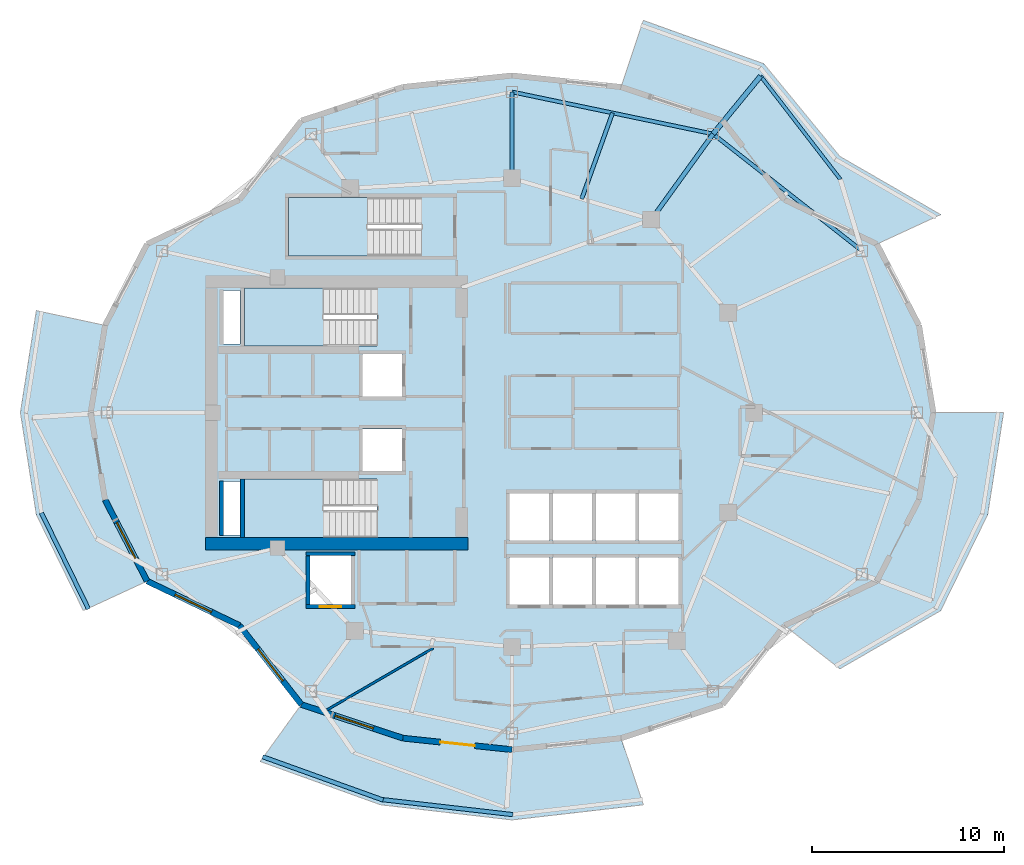
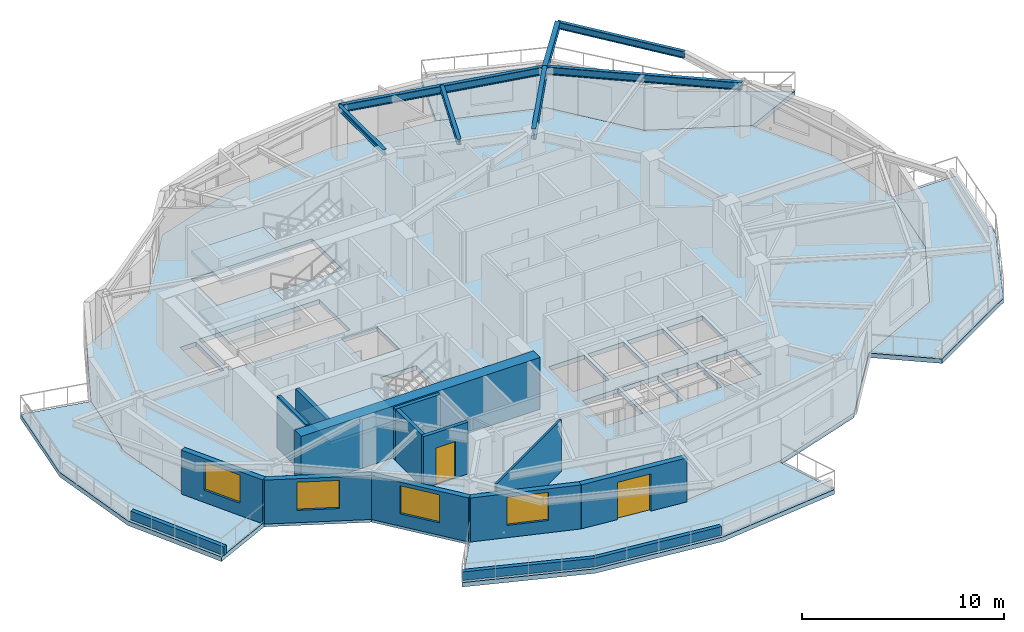
# One storey, part 2 of 11: 15 walls, 8 slabs, 7 beams, 4 windows, 2 doors, 6 openings, 3 elements without a shape of their own.
"""IFC4 building model written with IfcOpenShell, lengths in metres."""

import ifcopenshell
import ifcopenshell.guid

model = None  # the IFC model being written
_history = None  # IfcOwnerHistory: only IFC2X3 demands one
_inside = {}  # id of a spatial element -> (the spatial element, [elements in it])
_under = {}  # id of a project, library or spatial element -> (it, [spatial elements below it])
_declared = {}  # id of a project -> (the project, [libraries it declares])
_typed = {}  # id of a type object -> (the type object, [elements of that type])
_made_of = {}  # id of a material, layer set ... -> (it, [elements and type objects made of it])


def new_model(schema):
    """Start an empty IFC model of exactly this schema.

    Asked for "IFC4X3", IfcOpenShell would pick the latest addendum, in which some entities
    have other attributes; the version numbers below select the first issue.
    IFC2X3 requires an IfcOwnerHistory on every rooted entity: one is made here for all.
    """
    global model, _history
    if schema == "IFC4X3":
        model = ifcopenshell.file(schema_version=(4, 3, 0, 0))
    else:
        model = ifcopenshell.file(schema=schema)
    _inside.clear()
    _under.clear()
    _declared.clear()
    _typed.clear()
    _made_of.clear()
    _history = None
    if model.schema == "IFC2X3":
        org = make("IfcOrganization", Name="unknown")
        user = make(
            "IfcPersonAndOrganization",
            ThePerson=make("IfcPerson", FamilyName="unknown"),
            TheOrganization=org,
        )
        app = make(
            "IfcApplication",
            ApplicationDeveloper=org,
            Version="unknown",
            ApplicationFullName="unknown",
            ApplicationIdentifier="unknown",
        )
        _history = make(
            "IfcOwnerHistory",
            OwningUser=user,
            OwningApplication=app,
            ChangeAction="ADDED",
            CreationDate=0,
        )
    return model


def make(cls, **values):
    """One entity of the class cls with the attributes given. An attribute that is None is left unset."""
    return model.create_entity(
        cls, **{name: value for name, value in values.items() if value is not None}
    )


def rooted(cls, **values):
    """An entity with a GlobalId (a new one), such as an element, a storey or a relation."""
    return make(cls, GlobalId=ifcopenshell.guid.new(), OwnerHistory=_history, **values)


def si_unit(unit_type, name, prefix=None):
    """IfcSIUnit, for example si_unit("LENGTHUNIT", "METRE", prefix="MILLI")."""
    return make("IfcSIUnit", UnitType=unit_type, Prefix=prefix, Name=name)


def assignment(units):
    """IfcUnitAssignment: the units of a project."""
    return None if units is None else make("IfcUnitAssignment", Units=units)


def point(xyz):
    """IfcCartesianPoint."""
    return None if xyz is None else make("IfcCartesianPoint", Coordinates=xyz)


def direction(xyz):
    """IfcDirection."""
    return None if xyz is None else make("IfcDirection", DirectionRatios=xyz)


def frame(location, z_axis=None, x_axis=None):
    """IfcAxis2Placement3D, a coordinate frame: its origin and axes. An axis left out is left unset."""
    return make(
        "IfcAxis2Placement3D",
        Location=point(location),
        Axis=direction(z_axis),
        RefDirection=direction(x_axis),
    )


def frame_2d(location, x_axis=None):
    """IfcAxis2Placement2D, a coordinate frame in the plane: its origin and x axis."""
    return make(
        "IfcAxis2Placement2D", Location=point(location), RefDirection=direction(x_axis)
    )


def origin():
    """The frame at (0, 0, 0) with its axes left unset."""
    return frame((0.0, 0.0, 0.0))


def origin_2d():
    """The frame at (0, 0) in the plane with its x axis left unset."""
    return frame_2d((0.0, 0.0))


def place(relative_to, where):
    """IfcLocalPlacement: puts the frame where relative to a parent placement (None: the world)."""
    return make(
        "IfcLocalPlacement", PlacementRelTo=relative_to, RelativePlacement=where
    )


def context(
    kind, dimensions, precision=None, world=None, true_north=None, identifier=None
):
    """IfcGeometricRepresentationContext, for example the 3D "Model" context."""
    return make(
        "IfcGeometricRepresentationContext",
        ContextIdentifier=identifier,
        ContextType=kind,
        CoordinateSpaceDimension=dimensions,
        Precision=precision,
        WorldCoordinateSystem=world,
        TrueNorth=true_north,
    )


def subcontext(parent, identifier, kind, view, scale=None):
    """IfcGeometricRepresentationSubContext, for example "Body" below "Model"."""
    return make(
        "IfcGeometricRepresentationSubContext",
        ContextIdentifier=identifier,
        ContextType=kind,
        ParentContext=parent,
        TargetScale=scale,
        TargetView=view,
    )


def project(units=None, contexts=None):
    """IfcProject with its units and contexts."""
    return rooted(
        "IfcProject",
        Name="project",
        RepresentationContexts=contexts,
        UnitsInContext=assignment(units),
    )


def spatial(cls, under=None, at=None, **own):
    """A site, building, storey or space (cls), placed at a placement, below another one or the project."""
    s = rooted(cls, ObjectPlacement=at, **own)
    if under is not None:
        _under.setdefault(under.id(), (under, []))[1].append(s)
    return s


def polyline(points):
    """IfcPolyline through the points."""
    return make("IfcPolyline", Points=[point(p) for p in points])


def profile(cls, at=None, kind="AREA", **sizes):
    """A parametric profile (cls). Its sizes go by their IFC names, for example OverallWidth=200.0."""
    return make(cls, ProfileType=kind, Position=at, **sizes)


def rectangle(**sizes):
    """IfcRectangleProfileDef."""
    return profile("IfcRectangleProfileDef", **sizes)


def i_section(**sizes):
    """IfcIShapeProfileDef."""
    return profile("IfcIShapeProfileDef", **sizes)


def outline(outer, holes=None, kind="AREA"):
    """IfcArbitraryClosedProfileDef: a profile drawn as a closed curve; with holes, ...WithVoids."""
    if holes is None:
        return make("IfcArbitraryClosedProfileDef", ProfileType=kind, OuterCurve=outer)
    return make(
        "IfcArbitraryProfileDefWithVoids",
        ProfileType=kind,
        OuterCurve=outer,
        InnerCurves=holes,
    )


def extrude(swept, where, along, depth):
    """IfcExtrudedAreaSolid: the profile swept, set in the frame where, extruded along a direction by depth."""
    return make(
        "IfcExtrudedAreaSolid",
        SweptArea=swept,
        Position=where,
        ExtrudedDirection=direction(along),
        Depth=depth,
    )


def shape(context_of_items, identifier, shape_type, items):
    """IfcShapeRepresentation: the items that make up one representation, for example the "Body"."""
    return make(
        "IfcShapeRepresentation",
        ContextOfItems=context_of_items,
        RepresentationIdentifier=identifier,
        RepresentationType=shape_type,
        Items=items,
    )


def material(Name=None, Category=None):
    """IfcMaterial."""
    return make("IfcMaterial", Name=Name, Category=Category)


def layer(
    of_material, thickness, ventilated=None, Name=None, Category=None, Priority=None
):
    """IfcMaterialLayer: one layer of a wall or slab, of a material (None: an air gap)."""
    return make(
        "IfcMaterialLayer",
        Material=of_material,
        LayerThickness=thickness,
        IsVentilated=ventilated,
        Name=Name,
        Category=Category,
        Priority=Priority,
    )


def layer_set(layers, Name=None):
    """IfcMaterialLayerSet."""
    return make("IfcMaterialLayerSet", MaterialLayers=layers, LayerSetName=Name)


def material_profile(
    of_material, cross_section, Name=None, Category=None, Priority=None
):
    """IfcMaterialProfile: a cross section and its material."""
    return make(
        "IfcMaterialProfile",
        Name=Name,
        Material=of_material,
        Profile=cross_section,
        Priority=Priority,
        Category=Category,
    )


def profile_set(profiles, Name=None, composite=None):
    """IfcMaterialProfileSet."""
    return make(
        "IfcMaterialProfileSet",
        Name=Name,
        MaterialProfiles=profiles,
        CompositeProfile=composite,
    )


def made_of(thing, what):
    """Note that an element or type object is made of a material, layer set ...; save() writes the relation."""
    if what is not None:
        _made_of.setdefault(what.id(), (what, []))[1].append(thing)
    return thing


def type_object(cls, material=None, **own):
    """A type object (cls), such as IfcWallType, which elements share."""
    return made_of(rooted(cls, **own), material)


def element(
    cls,
    number,
    at=None,
    inside=None,
    cuts=None,
    type_object=None,
    material=None,
    context=None,
    identifier="Body",
    shape_type=None,
    held_by="IfcProductDefinitionShape",
    body=None,
    shapes=None,
    **own,
):
    """One element of the class cls, such as IfcWall. Its Tag is "e" and its number.

    at: its placement. inside: the storey or other place that contains it. cuts: it is an
    opening in that element (IfcRelVoidsElement). A single representation is given by context,
    identifier, shape_type and body (its items); several are given by shapes. held_by: the class
    of the entity that holds the representations. save() writes the other relations.
    """
    e = rooted(cls, Tag="e%d" % number, ObjectPlacement=at, **own)
    if body is not None:
        shapes = [shape(context, identifier, shape_type, body)]
    if shapes is not None:
        e.Representation = make(held_by, Representations=shapes)
    if inside is not None:
        _inside.setdefault(inside.id(), (inside, []))[1].append(e)
    if cuts is not None:
        rooted(
            "IfcRelVoidsElement", RelatingBuildingElement=cuts, RelatedOpeningElement=e
        )
    if type_object is not None:
        _typed.setdefault(type_object.id(), (type_object, []))[1].append(e)
    return made_of(e, material)


def fill(opening, filler):
    """IfcRelFillsElement: the door or window that sits in an opening."""
    return rooted(
        "IfcRelFillsElement",
        RelatingOpeningElement=opening,
        RelatedBuildingElement=filler,
    )


def aggregate(whole, parts):
    """IfcRelAggregates: a whole, such as a stair, and the parts it consists of."""
    return rooted("IfcRelAggregates", RelatingObject=whole, RelatedObjects=parts)


def save(model, path):
    """Write the relations noted so far, then the file.

    IfcRelAggregates (storeys below a building ...), IfcRelContainedInSpatialStructure (elements
    in a storey), IfcRelDefinesByType, IfcRelAssociatesMaterial and IfcRelDeclares: one each for
    every whole, place, type object, material and project.
    """
    for whole, parts in _under.values():
        aggregate(whole, parts)
    for where, things in _inside.values():
        rooted(
            "IfcRelContainedInSpatialStructure",
            RelatedElements=things,
            RelatingStructure=where,
        )
    for kind, things in _typed.values():
        rooted("IfcRelDefinesByType", RelatedObjects=things, RelatingType=kind)
    for what, things in _made_of.values():
        rooted("IfcRelAssociatesMaterial", RelatedObjects=things, RelatingMaterial=what)
    for by, libraries in _declared.values():
        rooted("IfcRelDeclares", RelatingContext=by, RelatedDefinitions=libraries)
    model.write(path)


model = new_model("IFC4")

# Units and contexts
model_context = context("Model", 3, precision=1e-05, world=origin(), true_north=direction((0.0, 1.0)))
body_context = subcontext(model_context, "Body", "Model", "MODEL_VIEW")
ifc_project = project(units=[si_unit("LENGTHUNIT", "METRE"), si_unit("AREAUNIT", "SQUARE_METRE"), si_unit("VOLUMEUNIT", "CUBIC_METRE"), si_unit("PLANEANGLEUNIT", "RADIAN"), si_unit("MASSUNIT", "GRAM", prefix="KILO")], contexts=[model_context])

# Site, building, storey
site_placement = place(None, origin())
site = spatial("IfcSite", under=ifc_project, at=site_placement, CompositionType="ELEMENT")
building_placement = place(site_placement, origin())
building = spatial("IfcBuilding", under=site, at=building_placement, Name="Kolvaren Gate Tower and Convention Centre", CompositionType="ELEMENT")
storey_placement = place(building_placement, frame((0.0, 0.0, 159.699951171875)))
storey = spatial("IfcBuildingStorey", under=building, at=storey_placement, Name="L41", CompositionType="ELEMENT", Elevation=159.699951171875)

# Beams
ifc_material_1 = material(Name="Structural steel ASTM A992 Grade 345 MPa", Category="steel")
ifc_material_profile_1 = material_profile(ifc_material_1, i_section(OverallWidth=0.260009765625, OverallDepth=0.419921875, WebThickness=0.013427734375, FlangeThickness=0.0224609375, at=origin_2d()), Name="W410X132")
ifc_profile_set_1 = profile_set([ifc_material_profile_1], Name="Structural steel ASTM A992 Grade 345 MPa")
beam_type_1 = type_object("IfcBeamType", Name="STR-BM-W410X132", PredefinedType="BEAM", material=ifc_profile_set_1)
beam_1_placement = place(storey_placement, frame((40.596435546875, 41.509521484375, 2.920654296875), z_axis=(0.634334838323, 0.773058414927, 0.0), x_axis=(-0.773058414927, 0.634334838323, 0.0)))
element("IfcBeam", 1, at=beam_1_placement, inside=storey, type_object=beam_type_1, Name="Tower L42 Planted Balcony Outrigger Cantilever BC-1B", PredefinedType="BEAM", context=body_context, shape_type="SweptSolid", body=[
    extrude(i_section(OverallWidth=0.260009765625, OverallDepth=0.419921875, WebThickness=0.013427734375, FlangeThickness=0.0224609375, at=origin_2d()), origin(), (0.0, 0.0, 1.0), 3.89990234375),
])
ifc_material_profile_2 = material_profile(ifc_material_1, i_section(OverallWidth=0.22998046875, OverallDepth=0.616943359375, WebThickness=0.01318359375, FlangeThickness=0.022216796875, at=origin_2d()), Name="W610X140")
ifc_profile_set_2 = profile_set([ifc_material_profile_2], Name="Structural steel ASTM A992 Grade 345 MPa")
beam_type_2 = type_object("IfcBeamType", Name="STR-BM-W610X140", PredefinedType="BEAM", material=ifc_profile_set_2)
beam_2_placement = place(storey_placement, frame((37.381591796875, 37.054931640625, 2.821533203125), z_axis=(0.58520818289, 0.810883088169, 0.0), x_axis=(-0.810883088169, 0.58520818289, 0.0)))
element("IfcBeam", 2, at=beam_2_placement, inside=storey, type_object=beam_type_2, Name="Tower L41 Radial Floor Girder RB-03", PredefinedType="BEAM", context=body_context, shape_type="SweptSolid", body=[
    extrude(i_section(OverallWidth=0.22998046875, OverallDepth=0.616943359375, WebThickness=0.01318359375, FlangeThickness=0.022216796875, at=origin_2d()), origin(), (0.0, 0.0, 1.0), 5.493408203125),
])
ifc_material_profile_3 = material_profile(ifc_material_1, i_section(OverallWidth=0.205078125, OverallDepth=0.31005859375, WebThickness=0.009521484375, FlangeThickness=0.016357421875, at=origin_2d()), Name="W310X74")
ifc_profile_set_3 = profile_set([ifc_material_profile_3], Name="Structural steel ASTM A992 Grade 345 MPa")
beam_type_3 = type_object("IfcBeamType", Name="STR-JS-W310X74", PredefinedType="JOIST", material=ifc_profile_set_3)
beam_3_placement = place(storey_placement, frame((30.125, 39.199951171875, 2.97509765625), z_axis=(0.0, 1.0, 0.0), x_axis=(-1.0, 0.0, 0.0)))
element("IfcBeam", 3, at=beam_3_placement, inside=storey, type_object=beam_type_3, Name="Tower L41 Radial Floor Girder RB-04", PredefinedType="JOIST", context=body_context, shape_type="SweptSolid", body=[
    extrude(i_section(OverallWidth=0.205078125, OverallDepth=0.31005859375, WebThickness=0.009521484375, FlangeThickness=0.016357421875, at=origin_2d()), origin(), (0.0, 0.0, 1.0), 4.5),
])
beam_4_placement = place(storey_placement, frame((33.75341796875, 38.12744140625, 2.97509765625), z_axis=(0.33785426197, 0.941198436924, 0.0), x_axis=(-0.941198436924, 0.33785426197, 0.0)))
element("IfcBeam", 4, at=beam_4_placement, inside=storey, type_object=beam_type_3, Name="Tower L41 Secondary Composite Floor Joist J-03.1", PredefinedType="JOIST", context=body_context, shape_type="SweptSolid", body=[
    extrude(i_section(OverallWidth=0.205078125, OverallDepth=0.31005859375, WebThickness=0.009521484375, FlangeThickness=0.016357421875, at=origin_2d()), origin(), (0.0, 0.0, 1.0), 4.757080078125),
])
ifc_material_profile_4 = material_profile(ifc_material_1, i_section(OverallWidth=0.180908203125, OverallDepth=0.4169921875, WebThickness=0.010986328125, FlangeThickness=0.018310546875, at=origin_2d()), Name="W410X85")
ifc_profile_set_4 = profile_set([ifc_material_profile_4], Name="Structural steel ASTM A992 Grade 345 MPa")
beam_type_4 = type_object("IfcBeamType", Name="STR-SP-W410X85", PredefinedType="SPANDREL", material=ifc_profile_set_4)
beam_5_placement = place(storey_placement, frame((47.22021484375, 39.15087890625, 2.922119140625), z_axis=(-0.611228468279, 0.791454205602, 0.0), x_axis=(-0.791454205602, -0.611228468279, 0.0)))
element("IfcBeam", 5, at=beam_5_placement, inside=storey, type_object=beam_type_4, Name="Tower L42 Planted Balcony Header Tie Beam BT-1", PredefinedType="SPANDREL", context=body_context, shape_type="SweptSolid", body=[
    extrude(i_section(OverallWidth=0.180908203125, OverallDepth=0.4169921875, WebThickness=0.010986328125, FlangeThickness=0.018310546875, at=origin_2d()), origin(), (0.0, 0.0, 1.0), 6.78955078125),
])
ifc_material_profile_5 = material_profile(ifc_material_1, i_section(OverallWidth=0.194091796875, OverallDepth=0.468994140625, WebThickness=0.0126953125, FlangeThickness=0.0205078125, at=origin_2d()), Name="W460X106")
ifc_profile_set_5 = profile_set([ifc_material_profile_5], Name="Structural steel ASTM A992 Grade 345 MPa")
beam_type_5 = type_object("IfcBeamType", Name="STR-SP-W460X106", PredefinedType="SPANDREL", material=ifc_profile_set_5)
beam_6_placement = place(storey_placement, frame((48.351806640625, 35.418701171875, 2.8955078125), z_axis=(-0.786450621777, 0.617653154697, 0.0), x_axis=(-0.617653154697, -0.786450621777, 0.0)))
element("IfcBeam", 6, at=beam_6_placement, inside=storey, type_object=beam_type_5, Name="Tower L41 Perimeter Spandrel Beam SP-02", PredefinedType="SPANDREL", context=body_context, shape_type="SweptSolid", body=[
    extrude(i_section(OverallWidth=0.194091796875, OverallDepth=0.468994140625, WebThickness=0.0126953125, FlangeThickness=0.0205078125, at=origin_2d()), origin(), (0.0, 0.0, 1.0), 9.861328125),
])
beam_7_placement = place(storey_placement, frame((40.596435546875, 41.509521484375, 2.8955078125), z_axis=(-0.978814350133, 0.204749769168, 0.0), x_axis=(-0.204749769168, -0.978814350133, 0.0)))
element("IfcBeam", 7, at=beam_7_placement, inside=storey, type_object=beam_type_5, Name="Tower L41 Perimeter Spandrel Beam SP-03", PredefinedType="SPANDREL", context=body_context, shape_type="SweptSolid", body=[
    extrude(i_section(OverallWidth=0.194091796875, OverallDepth=0.468994140625, WebThickness=0.0126953125, FlangeThickness=0.0205078125, at=origin_2d()), origin(), (0.0, 0.0, 1.0), 10.697998046875),
])

# Slabs
ifc_material_2 = material(Name="Concrete C50/60", Category="concrete")
ifc_layer_1 = layer(ifc_material_2, 0.27001953125)
ifc_layer_set_1 = layer_set([ifc_layer_1], Name="Concrete C50/60")
slab_type_1 = type_object("IfcSlabType", Name="STR-SL-BALC-270", PredefinedType="FLOOR", material=ifc_layer_set_1)
slab_1_placement = place(storey_placement, frame((0.0, 0.0, -0.27001953125)))
element("IfcSlab", 8, at=slab_1_placement, inside=storey, type_object=slab_type_1, Name="Tower L41 Planted Balcony Terrace Slab 1 (North)", PredefinedType="FLOOR", context=body_context, shape_type="SweptSolid", body=[
    extrude(outline(polyline([(49.123291015625, 35.77490234375), (44.3134765625, 38.0859375), (41.09375, 42.19873046875), (35.802734375, 43.951904296875), (36.965087890625, 47.422607421875), (43.235595703125, 45.16650390625), (47.197509765625, 40.33935546875), (52.446044921875, 37.309814453125), (49.123291015625, 35.77490234375)])), origin(), (0.0, 0.0, 1.0), 0.27001953125),
])
slab_2_placement = place(storey_placement, frame((0.0, 0.0, -0.27001953125)))
element("IfcSlab", 9, at=slab_2_placement, inside=storey, type_object=slab_type_1, Name="Tower L41 Planted Balcony Terrace Slab 2 (West)", PredefinedType="FLOOR", context=body_context, shape_type="SweptSolid", body=[
    extrude(outline(polyline([(8.93505859375, 31.542236328125), (8.1875, 27.0), (8.93505859375, 22.457763671875), (11.126708984375, 18.22509765625), (7.803955078125, 16.690185546875), (5.356201171875, 21.690673828125), (4.527587890625, 27.0), (5.356201171875, 32.309326171875), (8.93505859375, 31.542236328125)])), origin(), (0.0, 0.0, 1.0), 0.27001953125),
])
slab_3_placement = place(storey_placement, frame((0.0, 0.0, -0.27001953125)))
element("IfcSlab", 10, at=slab_3_placement, inside=storey, type_object=slab_type_1, Name="Tower L41 Planted Balcony Terrace Slab 3 (South)", PredefinedType="FLOOR", context=body_context, shape_type="SweptSolid", body=[
    extrude(outline(polyline([(19.15625, 11.80126953125), (24.447265625, 10.048095703125), (30.125, 9.449951171875), (35.802734375, 10.048095703125), (36.965087890625, 6.577392578125), (30.125, 5.7900390625), (23.284912109375, 6.577392578125), (17.014404296875, 8.83349609375), (19.15625, 11.80126953125)])), origin(), (0.0, 0.0, 1.0), 0.27001953125),
])
slab_4_placement = place(storey_placement, frame((0.0, 0.0, -0.27001953125)))
element("IfcSlab", 11, at=slab_4_placement, inside=storey, type_object=slab_type_1, Name="Tower L41 Planted Balcony Terrace Slab 4 (East)", PredefinedType="FLOOR", context=body_context, shape_type="SweptSolid", body=[
    extrude(outline(polyline([(44.3134765625, 15.9140625), (49.123291015625, 18.22509765625), (51.31494140625, 22.457763671875), (52.0625, 27.0), (55.722412109375, 27.0), (54.893798828125, 21.690673828125), (52.446044921875, 16.690185546875), (47.197509765625, 13.66064453125), (44.3134765625, 15.9140625)])), origin(), (0.0, 0.0, 1.0), 0.27001953125),
])
ifc_material_3 = material(Name="Concrete C40/50", Category="concrete")
ifc_layer_2 = layer(ifc_material_3, 0.27001953125)
ifc_layer_set_2 = layer_set([ifc_layer_2], Name="Concrete C40/50")
slab_type_2 = type_object("IfcSlabType", Name="STR-SL-FLR-270", PredefinedType="FLOOR", material=ifc_layer_set_2)
slab_5_placement = place(storey_placement, frame((0.0, 0.0, -0.27001953125)))
element("IfcSlab", 12, at=slab_5_placement, inside=storey, type_object=slab_type_2, Name="Tower L41 Structural Floor Slab", PredefinedType="FLOOR", context=body_context, shape_type="SweptSolid", body=[
    extrude(outline(polyline([(52.0625, 27.0), (51.31494140625, 31.542236328125), (49.123291015625, 35.77490234375), (44.3134765625, 38.0859375), (41.09375, 42.19873046875), (35.802734375, 43.951904296875), (30.125, 44.550048828125), (24.447265625, 43.951904296875), (19.15625, 42.19873046875), (15.9365234375, 38.0859375), (11.126708984375, 35.77490234375), (8.93505859375, 31.542236328125), (8.1875, 27.0), (8.93505859375, 22.457763671875), (11.126708984375, 18.22509765625), (15.9365234375, 15.9140625), (19.15625, 11.80126953125), (24.447265625, 10.048095703125), (30.125, 9.449951171875), (35.802734375, 10.048095703125), (41.09375, 11.80126953125), (44.3134765625, 15.9140625), (49.123291015625, 18.22509765625), (51.31494140625, 22.457763671875), (52.0625, 27.0)]), holes=[polyline([(36.75, 17.0), (36.75, 19.449951171875), (38.800048828125, 19.449951171875), (38.800048828125, 17.0), (36.75, 17.0)]), polyline([(36.75, 20.35009765625), (36.75, 22.800048828125), (38.800048828125, 22.800048828125), (38.800048828125, 20.35009765625), (36.75, 20.35009765625)]), polyline([(34.5, 17.0), (34.5, 19.449951171875), (36.550048828125, 19.449951171875), (36.550048828125, 17.0), (34.5, 17.0)]), polyline([(34.5, 20.35009765625), (34.5, 22.800048828125), (36.550048828125, 22.800048828125), (36.550048828125, 20.35009765625), (34.5, 20.35009765625)]), polyline([(32.25, 17.0), (32.25, 19.449951171875), (34.300048828125, 19.449951171875), (34.300048828125, 17.0), (32.25, 17.0)]), polyline([(32.25, 20.35009765625), (32.25, 22.800048828125), (34.300048828125, 22.800048828125), (34.300048828125, 20.35009765625), (32.25, 20.35009765625)]), polyline([(30.0, 17.0), (30.0, 19.449951171875), (32.050048828125, 19.449951171875), (32.050048828125, 17.0), (30.0, 17.0)]), polyline([(30.0, 20.35009765625), (30.0, 22.800048828125), (32.050048828125, 22.800048828125), (32.050048828125, 20.35009765625), (30.0, 20.35009765625)]), polyline([(25.39990234375, 38.199951171875), (25.39990234375, 35.159912109375), (18.5, 35.159912109375), (18.5, 38.199951171875), (25.39990234375, 38.199951171875)]), polyline([(22.35009765625, 23.9599609375), (22.35009765625, 26.159912109375), (24.39990234375, 26.159912109375), (24.39990234375, 23.9599609375), (22.35009765625, 23.9599609375)]), polyline([(22.35009765625, 27.840087890625), (22.35009765625, 30.0400390625), (24.39990234375, 30.0400390625), (24.39990234375, 27.840087890625), (22.35009765625, 27.840087890625)]), polyline([(23.10009765625, 23.5400390625), (23.10009765625, 20.5), (16.199951171875, 20.5), (16.199951171875, 23.5400390625), (23.10009765625, 23.5400390625)]), polyline([(23.10009765625, 33.5), (23.10009765625, 30.4599609375), (16.199951171875, 30.4599609375), (16.199951171875, 33.5), (23.10009765625, 33.5)]), polyline([(19.60009765625, 17.0), (19.60009765625, 19.550048828125), (21.75, 19.550048828125), (21.75, 17.0), (19.60009765625, 17.0)]), polyline([(15.080078125, 20.6298828125), (15.080078125, 23.419921875), (15.969970703125, 23.419921875), (15.969970703125, 20.6298828125), (15.080078125, 20.6298828125)]), polyline([(15.080078125, 30.580078125), (15.080078125, 33.3701171875), (15.969970703125, 33.3701171875), (15.969970703125, 30.580078125), (15.080078125, 30.580078125)])]), origin(), (0.0, 0.0, 1.0), 0.27001953125),
])

# Stair, slab
stair_type = type_object("IfcStairType", Name="STR-STAIR-CORE", PredefinedType="HALF_TURN_STAIR", material=ifc_material_2)
stair_1_placement = place(storey_placement, origin())
stair_1 = element("IfcStair", 13, at=stair_1_placement, inside=storey, type_object=stair_type, Name="L41 Tower North Exit Stair ST-T1", PredefinedType="HALF_TURN_STAIR")
ifc_layer_3 = layer(ifc_material_2, 0.199951171875)
ifc_layer_set_3 = layer_set([ifc_layer_3], Name="Concrete C50/60")
slab_type_3 = type_object("IfcSlabType", Name="STR-SL-LAND-200", PredefinedType="LANDING", material=ifc_layer_set_3)
slab_6_placement = place(storey_placement, frame((0.0, 0.0, 1.5)))
slab_6 = element("IfcSlab", 14, at=slab_6_placement, type_object=slab_type_3, Name="ST-T1 landing 1", PredefinedType="LANDING", context=body_context, shape_type="SweptSolid", body=[
    extrude(outline(polyline([(20.31005859375, 33.5), (16.199951171875, 33.5), (16.199951171875, 30.4599609375), (20.31005859375, 30.4599609375), (20.31005859375, 33.5)])), origin(), (0.0, 0.0, 1.0), 0.199951171875),
])
aggregate(stair_1, [slab_6])

stair_2_placement = place(storey_placement, origin())
stair_2 = element("IfcStair", 15, at=stair_2_placement, inside=storey, type_object=stair_type, Name="L41 Tower South Exit Stair ST-T2", PredefinedType="HALF_TURN_STAIR")
slab_7_placement = place(storey_placement, frame((0.0, 0.0, 1.5)))
slab_7 = element("IfcSlab", 16, at=slab_7_placement, type_object=slab_type_3, Name="ST-T2 landing 1", PredefinedType="LANDING", context=body_context, shape_type="SweptSolid", body=[
    extrude(outline(polyline([(20.31005859375, 23.5400390625), (16.199951171875, 23.5400390625), (16.199951171875, 20.5), (20.31005859375, 20.5), (20.31005859375, 23.5400390625)])), origin(), (0.0, 0.0, 1.0), 0.199951171875),
])
aggregate(stair_2, [slab_7])

stair_3_placement = place(storey_placement, origin())
stair_3 = element("IfcStair", 17, at=stair_3_placement, inside=storey, type_object=stair_type, Name="L41 Tower Mid-Zone Exit Stair ST-T3", PredefinedType="HALF_TURN_STAIR")
slab_8_placement = place(storey_placement, frame((0.0, 0.0, 1.5)))
slab_8 = element("IfcSlab", 18, at=slab_8_placement, type_object=slab_type_3, Name="ST-T3 landing 1", PredefinedType="LANDING", context=body_context, shape_type="SweptSolid", body=[
    extrude(outline(polyline([(22.610107421875, 38.199951171875), (18.5, 38.199951171875), (18.5, 35.159912109375), (22.610107421875, 35.159912109375), (22.610107421875, 38.199951171875)])), origin(), (0.0, 0.0, 1.0), 0.199951171875),
])
aggregate(stair_3, [slab_8])

# Walls
ifc_material_4 = material(Name="Fire-Rated Acoustic Gypsum Stud Partition", Category="gypsum")
ifc_layer_4 = layer(ifc_material_4, 0.1201171875)
ifc_layer_set_4 = layer_set([ifc_layer_4], Name="Fire-Rated Acoustic Gypsum Stud Partition")
wall_type_1 = type_object("IfcWallType", Name="ARCH-WL-PART-120", PredefinedType="PARTITIONING", material=ifc_layer_set_4)
wall_1_placement = place(storey_placement, frame((20.490966796875, 11.51904296875, 0.0), z_axis=(0.0, 0.0, 1.0), x_axis=(0.864495629624, 0.502640334991, 0.0)))
element("IfcWall", 19, at=wall_1_placement, inside=storey, type_object=wall_type_1, Name="Interior Partition WL-L41-INT-057", PredefinedType="PARTITIONING", context=body_context, shape_type="SweptSolid", body=[
    extrude(rectangle(XDim=6.404052734375, YDim=0.1201171875, at=frame_2d((3.2021484375, 0.0))), origin(), (0.0, 0.0, 1.0), 3.130126953125),
])
ifc_material_5 = material(Name="Piedmont Cream Honed Limestone Cladding", Category="masonry")
ifc_layer_5 = layer(ifc_material_5, 0.219970703125)
ifc_layer_set_5 = layer_set([ifc_layer_5], Name="Piedmont Cream Honed Limestone Cladding")
wall_type_2 = type_object("IfcWallType", Name="ARCH-WL-PLANTER-220", PredefinedType="PARAPET", material=ifc_layer_set_5)
wall_2_placement = place(storey_placement, frame((5.6220703125, 21.77880859375, 0.0), z_axis=(0.0, 0.0, 1.0), x_axis=(0.439637174641, -0.898175458735, 0.0)))
element("IfcWall", 20, at=wall_2_placement, inside=storey, type_object=wall_type_2, Name="Vertical-Forest Balcony Stone Planter Kerb PK-L41-2.3", PredefinedType="PARAPET", context=body_context, shape_type="SweptSolid", body=[
    extrude(rectangle(XDim=5.567138671875, YDim=0.219970703125, at=frame_2d((2.78369140625, 0.0))), origin(), (0.0, 0.0, 1.0), 0.52001953125),
])
wall_3_placement = place(storey_placement, frame((17.142822265625, 9.082275390625, 0.0), z_axis=(0.0, 0.0, 1.0), x_axis=(0.940948576924, -0.338549517184, 0.0)))
element("IfcWall", 21, at=wall_3_placement, inside=storey, type_object=wall_type_2, Name="Vertical-Forest Balcony Stone Planter Kerb PK-L41-3.1", PredefinedType="PARAPET", context=body_context, shape_type="SweptSolid", body=[
    extrude(rectangle(XDim=6.6640625, YDim=0.219970703125, at=frame_2d((3.33203125, 0.0))), origin(), (0.0, 0.0, 1.0), 0.52001953125),
])
wall_4_placement = place(storey_placement, frame((23.330078125, 6.853759765625, 0.0), z_axis=(0.0, 0.0, 1.0), x_axis=(0.993440576506, -0.114349555972, 0.0)))
element("IfcWall", 22, at=wall_4_placement, inside=storey, type_object=wall_type_2, Name="Vertical-Forest Balcony Stone Planter Kerb PK-L41-3.2", PredefinedType="PARAPET", context=body_context, shape_type="SweptSolid", body=[
    extrude(rectangle(XDim=6.885498046875, YDim=0.219970703125, at=frame_2d((3.44287109375, 0.0))), origin(), (0.0, 0.0, 1.0), 0.52001953125),
])
ifc_material_6 = material(Name="Autoclaved Aerated Masonry Blockwork Class 4 (4.0 MPa)", Category="masonry")
ifc_layer_6 = layer(ifc_material_6, 0.199951171875)
ifc_layer_set_6 = layer_set([ifc_layer_6], Name="Autoclaved Aerated Masonry Blockwork Class 4 (4.0 MPa)")
wall_type_3 = type_object("IfcWallType", Name="ARCH-WL-SHAFT-200", PredefinedType="SOLIDWALL", material=ifc_layer_set_6)
wall_5_placement = place(storey_placement, frame((19.39990234375, 19.64990234375, 0.0), z_axis=(0.0, 0.0, 1.0), x_axis=(1.0, 0.0, 0.0)))
element("IfcWall", 23, at=wall_5_placement, inside=storey, type_object=wall_type_3, Name="Elevator SV-01 L41 Fire Shaft Wall N", PredefinedType="SOLIDWALL", context=body_context, shape_type="SweptSolid", body=[
    extrude(rectangle(XDim=2.550048828125, YDim=0.199951171875, at=frame_2d((1.27490234375, 0.0))), origin(), (0.0, 0.0, 1.0), 3.130126953125),
])

# Wall, opening, door
wall_6_placement = place(storey_placement, frame((19.39990234375, 16.89990234375, 0.0), z_axis=(0.0, 0.0, 1.0), x_axis=(1.0, 0.0, 0.0)))
wall_6 = element("IfcWall", 24, at=wall_6_placement, inside=storey, type_object=wall_type_3, Name="Elevator SV-01 L41 Fire Shaft Wall S", PredefinedType="SOLIDWALL", context=body_context, shape_type="SweptSolid", body=[
    extrude(rectangle(XDim=2.550048828125, YDim=0.199951171875, at=frame_2d((1.27490234375, 0.0))), origin(), (0.0, 0.0, 1.0), 3.130126953125),
])
opening_1_placement = place(wall_6_placement, frame((0.72509765625, 0.0, 0.0)))
opening_1 = element("IfcOpeningElement", 25, at=opening_1_placement, cuts=wall_6, Name="Opening LD", PredefinedType="OPENING", context=body_context, shape_type="SweptSolid", body=[
    extrude(rectangle(XDim=1.10009765625, YDim=2.199951171875, at=frame_2d((0.550048828125, 1.10009765625))), frame((0.0, 0.10986328125, 0.0), z_axis=(0.0, -1.0, 0.0), x_axis=(1.0, 0.0, 0.0)), (0.0, 0.0, 1.0), 0.219970703125),
])
ifc_material_7 = material(Name="Brushed Stainless Steel Grade 316L", Category="steel")
door_type_1 = type_object("IfcDoorType", Name="ARCH-DR-LIFT-1100", OperationType="SLIDING_TO_LEFT", PredefinedType="DOOR", material=ifc_material_7)
door_1_placement = place(opening_1_placement, origin())
door_1 = element("IfcDoor", 26, at=door_1_placement, inside=storey, type_object=door_type_1, Name="Elevator SV-01 L41 Sliding Landing Door", OperationType="SLIDING_TO_LEFT", OverallHeight=2.199951171875, OverallWidth=1.10009765625, PredefinedType="DOOR", context=body_context, shape_type="SweptSolid", body=[
    extrude(rectangle(XDim=1.10009765625, YDim=2.199951171875, at=frame_2d((0.550048828125, 1.10009765625))), frame((0.0, 0.02490234375, 0.0), z_axis=(0.0, -1.0, 0.0), x_axis=(1.0, 0.0, 0.0)), (0.0, 0.0, 1.0), 0.050048828125),
])
fill(opening_1, door_1)

# Walls
wall_7_placement = place(storey_placement, frame((19.5, 17.010009765625, 0.0), z_axis=(0.0, 0.0, 1.0), x_axis=(0.0, 1.0, 0.0)))
element("IfcWall", 27, at=wall_7_placement, inside=storey, type_object=wall_type_3, Name="Elevator SV-01 L41 Fire Shaft Wall W", PredefinedType="SOLIDWALL", context=body_context, shape_type="SweptSolid", body=[
    extrude(rectangle(XDim=2.530029296875, YDim=0.199951171875, at=frame_2d((1.26513671875, 0.0))), origin(), (0.0, 0.0, 1.0), 3.130126953125),
])
wall_8_placement = place(storey_placement, frame((14.989990234375, 20.60009765625, 0.0), z_axis=(0.0, 0.0, 1.0), x_axis=(0.0, 1.0, 0.0)))
element("IfcWall", 28, at=wall_8_placement, inside=storey, type_object=wall_type_3, Name="Vertical Shaft MPR L41 EI-120 Enclosure Wall W", PredefinedType="SOLIDWALL", context=body_context, shape_type="SweptSolid", body=[
    extrude(rectangle(XDim=2.849853515625, YDim=0.199951171875, at=frame_2d((1.4248046875, 0.0))), origin(), (0.0, 0.0, 1.0), 3.130126953125),
])

# Wall, opening, window
ifc_layer_7 = layer(ifc_material_5, 0.300048828125)
ifc_layer_set_7 = layer_set([ifc_layer_7], Name="Piedmont Cream Honed Limestone Cladding")
wall_type_4 = type_object("IfcWallType", Name="ARCH-WL-STONE-300", PredefinedType="SOLIDWALL", material=ifc_layer_set_7)
wall_9_placement = place(storey_placement, frame((8.93505859375, 22.457763671875, 0.0), z_axis=(0.0, 0.0, 1.0), x_axis=(0.459810251451, -0.888017191647, 0.0)))
wall_9 = element("IfcWall", 29, at=wall_9_placement, inside=storey, type_object=wall_type_4, Name="Tower L41 Honed Stone Spandrel Wall EW-13", PredefinedType="SOLIDWALL", context=body_context, shape_type="SweptSolid", body=[
    extrude(rectangle(XDim=4.766357421875, YDim=0.300048828125, at=frame_2d((2.38330078125, 0.0))), origin(), (0.0, 0.0, 1.0), 2.653076171875),
])
opening_2_placement = place(wall_9_placement, frame((1.3330078125, 0.0, 0.739990234375)))
opening_2 = element("IfcOpeningElement", 30, at=opening_2_placement, cuts=wall_9, Name="Opening W-02", PredefinedType="OPENING", context=body_context, shape_type="SweptSolid", body=[
    extrude(rectangle(XDim=2.10009765625, YDim=1.699951171875, at=frame_2d((1.050048828125, 0.85009765625))), frame((0.0, 0.159912109375, 0.0), z_axis=(0.0, -1.0, 0.0), x_axis=(1.0, 0.0, 0.0)), (0.0, 0.0, 1.0), 0.320068359375),
])
ifc_material_8 = material(Name="Low-E Triple Insulated Glazing Unit 44 mm", Category="glass")
window_type = type_object("IfcWindowType", Name="ARCH-WN-HTL-2100", PartitioningType="SINGLE_PANEL", PredefinedType="WINDOW", material=ifc_material_8)
window_1_placement = place(opening_2_placement, origin())
window_1 = element("IfcWindow", 31, at=window_1_placement, inside=storey, type_object=window_type, Name="Tower L41 Punched Stone Facade Window W-13", OverallHeight=1.699951171875, OverallWidth=2.10009765625, PartitioningType="SINGLE_PANEL", PredefinedType="WINDOW", context=body_context, shape_type="SweptSolid", body=[
    extrude(rectangle(XDim=2.10009765625, YDim=1.699951171875, at=frame_2d((1.050048828125, 0.85009765625))), frame((0.0, 0.030029296875, 0.0), z_axis=(0.0, -1.0, 0.0), x_axis=(1.0, 0.0, 0.0)), (0.0, 0.0, 1.0), 0.06005859375),
])
fill(opening_2, window_1)

wall_10_placement = place(storey_placement, frame((11.126708984375, 18.22509765625, 0.0), z_axis=(0.0, 0.0, 1.0), x_axis=(0.901353070301, -0.433085029363, 0.0)))
wall_10 = element("IfcWall", 32, at=wall_10_placement, inside=storey, type_object=wall_type_4, Name="Tower L41 Honed Stone Spandrel Wall EW-14", PredefinedType="SOLIDWALL", context=body_context, shape_type="SweptSolid", body=[
    extrude(rectangle(XDim=5.336181640625, YDim=0.300048828125, at=frame_2d((2.66796875, 0.0))), origin(), (0.0, 0.0, 1.0), 2.653076171875),
])
opening_3_placement = place(wall_10_placement, frame((1.617919921875, 0.0, 0.739990234375)))
opening_3 = element("IfcOpeningElement", 33, at=opening_3_placement, cuts=wall_10, Name="Opening W-02", PredefinedType="OPENING", context=body_context, shape_type="SweptSolid", body=[
    extrude(rectangle(XDim=2.10009765625, YDim=1.699951171875, at=frame_2d((1.050048828125, 0.85009765625))), frame((0.0, 0.159912109375, 0.0), z_axis=(0.0, -1.0, 0.0), x_axis=(1.0, 0.0, 0.0)), (0.0, 0.0, 1.0), 0.320068359375),
])
window_2_placement = place(opening_3_placement, origin())
window_2 = element("IfcWindow", 34, at=window_2_placement, inside=storey, type_object=window_type, Name="Tower L41 Punched Stone Facade Window W-14", OverallHeight=1.699951171875, OverallWidth=2.10009765625, PartitioningType="SINGLE_PANEL", PredefinedType="WINDOW", context=body_context, shape_type="SweptSolid", body=[
    extrude(rectangle(XDim=2.10009765625, YDim=1.699951171875, at=frame_2d((1.050048828125, 0.85009765625))), frame((0.0, 0.030029296875, 0.0), z_axis=(0.0, -1.0, 0.0), x_axis=(1.0, 0.0, 0.0)), (0.0, 0.0, 1.0), 0.06005859375),
])
fill(opening_3, window_2)

wall_11_placement = place(storey_placement, frame((15.9365234375, 15.9140625, 0.0), z_axis=(0.0, 0.0, 1.0), x_axis=(0.616429245738, -0.787410302828, 0.0)))
wall_11 = element("IfcWall", 35, at=wall_11_placement, inside=storey, type_object=wall_type_4, Name="Tower L41 Honed Stone Spandrel Wall EW-15", PredefinedType="SOLIDWALL", context=body_context, shape_type="SweptSolid", body=[
    extrude(rectangle(XDim=5.22314453125, YDim=0.300048828125, at=frame_2d((2.611572265625, 0.0))), origin(), (0.0, 0.0, 1.0), 2.653076171875),
])
opening_4_placement = place(wall_11_placement, frame((1.56201171875, 0.0, 0.739990234375)))
opening_4 = element("IfcOpeningElement", 36, at=opening_4_placement, cuts=wall_11, Name="Opening W-02", PredefinedType="OPENING", context=body_context, shape_type="SweptSolid", body=[
    extrude(rectangle(XDim=2.10009765625, YDim=1.699951171875, at=frame_2d((1.050048828125, 0.85009765625))), frame((0.0, 0.159912109375, 0.0), z_axis=(0.0, -1.0, 0.0), x_axis=(1.0, 0.0, 0.0)), (0.0, 0.0, 1.0), 0.320068359375),
])
window_3_placement = place(opening_4_placement, origin())
window_3 = element("IfcWindow", 37, at=window_3_placement, inside=storey, type_object=window_type, Name="Tower L41 Punched Stone Facade Window W-15", OverallHeight=1.699951171875, OverallWidth=2.10009765625, PartitioningType="SINGLE_PANEL", PredefinedType="WINDOW", context=body_context, shape_type="SweptSolid", body=[
    extrude(rectangle(XDim=2.10009765625, YDim=1.699951171875, at=frame_2d((1.050048828125, 0.85009765625))), frame((0.0, 0.030029296875, 0.0), z_axis=(0.0, -1.0, 0.0), x_axis=(1.0, 0.0, 0.0)), (0.0, 0.0, 1.0), 0.06005859375),
])
fill(opening_4, window_3)

wall_12_placement = place(storey_placement, frame((19.15625, 11.80126953125, 0.0), z_axis=(0.0, 0.0, 1.0), x_axis=(0.949246811547, -0.314532177636, 0.0)))
wall_12 = element("IfcWall", 38, at=wall_12_placement, inside=storey, type_object=wall_type_4, Name="Tower L41 Honed Stone Spandrel Wall EW-16", PredefinedType="SOLIDWALL", context=body_context, shape_type="SweptSolid", body=[
    extrude(rectangle(XDim=5.573974609375, YDim=0.300048828125, at=frame_2d((2.787109375, 0.0))), origin(), (0.0, 0.0, 1.0), 2.653076171875),
])
opening_5_placement = place(wall_12_placement, frame((1.85009765625, 0.0, 0.739990234375)))
opening_5 = element("IfcOpeningElement", 39, at=opening_5_placement, cuts=wall_12, Name="Opening W-02", PredefinedType="OPENING", context=body_context, shape_type="SweptSolid", body=[
    extrude(rectangle(XDim=2.10009765625, YDim=1.699951171875, at=frame_2d((1.050048828125, 0.85009765625))), frame((0.0, 0.159912109375, 0.0), z_axis=(0.0, -1.0, 0.0), x_axis=(1.0, 0.0, 0.0)), (0.0, 0.0, 1.0), 0.320068359375),
])
window_4_placement = place(opening_5_placement, origin())
window_4 = element("IfcWindow", 40, at=window_4_placement, inside=storey, type_object=window_type, Name="Tower L41 Punched Stone Facade Window W-16", OverallHeight=1.699951171875, OverallWidth=2.10009765625, PartitioningType="SINGLE_PANEL", PredefinedType="WINDOW", context=body_context, shape_type="SweptSolid", body=[
    extrude(rectangle(XDim=2.10009765625, YDim=1.699951171875, at=frame_2d((1.050048828125, 0.85009765625))), frame((0.0, 0.030029296875, 0.0), z_axis=(0.0, -1.0, 0.0), x_axis=(1.0, 0.0, 0.0)), (0.0, 0.0, 1.0), 0.06005859375),
])
fill(opening_5, window_4)

# Wall, opening, door
wall_13_placement = place(storey_placement, frame((24.447265625, 10.048095703125, 0.0), z_axis=(0.0, 0.0, 1.0), x_axis=(0.994496545245, -0.104769372887, 0.0)))
wall_13 = element("IfcWall", 41, at=wall_13_placement, inside=storey, type_object=wall_type_4, Name="Tower L41 Honed Stone Spandrel Wall EW-17", PredefinedType="SOLIDWALL", context=body_context, shape_type="SweptSolid", body=[
    extrude(rectangle(XDim=5.709228515625, YDim=0.300048828125, at=frame_2d((2.8544921875, 0.0))), origin(), (0.0, 0.0, 1.0), 2.653076171875),
])
opening_6_placement = place(wall_13_placement, frame((1.955078125, 0.0, 0.0)))
opening_6 = element("IfcOpeningElement", 42, at=opening_6_placement, cuts=wall_13, Name="Opening DB-01", PredefinedType="OPENING", context=body_context, shape_type="SweptSolid", body=[
    extrude(rectangle(XDim=1.800048828125, YDim=2.25, at=frame_2d((0.89990234375, 1.125))), frame((0.0, 0.159912109375, 0.0), z_axis=(0.0, -1.0, 0.0), x_axis=(1.0, 0.0, 0.0)), (0.0, 0.0, 1.0), 0.320068359375),
])
ifc_material_9 = material(Name="Anodized Architectural Aluminium Alloy 6063-T6", Category="aluminium")
door_type_2 = type_object("IfcDoorType", Name="ARCH-DR-BALC-1800", OperationType="SLIDING_TO_LEFT", PredefinedType="DOOR", material=ifc_material_9)
door_2_placement = place(opening_6_placement, frame((1.800048828125, 0.0, 0.0), z_axis=(0.0, 0.0, 1.0), x_axis=(-1.0, 0.0, 0.0)))
door_2 = element("IfcDoor", 43, at=door_2_placement, inside=storey, type_object=door_type_2, Name="Planted Sky Terrace Access Door DB-L41-17", OperationType="SLIDING_TO_LEFT", OverallHeight=2.25, OverallWidth=1.800048828125, PredefinedType="DOOR", context=body_context, shape_type="SweptSolid", body=[
    extrude(rectangle(XDim=1.800048828125, YDim=2.25, at=frame_2d((0.89990234375, 1.125))), frame((0.0, 0.02490234375, 0.0), z_axis=(0.0, -1.0, 0.0), x_axis=(1.0, 0.0, 0.0)), (0.0, 0.0, 1.0), 0.050048828125),
])
fill(opening_6, door_2)

# Walls
ifc_material_10 = material(Name="Concrete C60/75", Category="concrete")
ifc_layer_8 = layer(ifc_material_10, 0.64990234375)
ifc_layer_set_8 = layer_set([ifc_layer_8], Name="Concrete C60/75")
wall_type_5 = type_object("IfcWallType", Name="STR-WL-CORE-650", PredefinedType="SHEAR", material=ifc_layer_set_8)
wall_14_placement = place(storey_placement, frame((14.175048828125, 20.175048828125, -0.27001953125), z_axis=(0.0, 0.0, 1.0), x_axis=(1.0, 0.0, 0.0)))
element("IfcWall", 44, at=wall_14_placement, inside=storey, type_object=wall_type_5, Name="Tower L41 Offset Core Shear Wall S", PredefinedType="SHEAR", context=body_context, shape_type="SweptSolid", body=[
    extrude(rectangle(XDim=13.64990234375, YDim=0.64990234375, at=frame_2d((6.824951171875, 0.0))), origin(), (0.0, 0.0, 1.0), 3.400146484375),
])
ifc_layer_9 = layer(ifc_material_2, 0.199951171875)
ifc_layer_set_9 = layer_set([ifc_layer_9], Name="Concrete C50/60")
wall_type_6 = type_object("IfcWallType", Name="STR-WL-SHAFT-200", PredefinedType="SHEAR", material=ifc_layer_set_9)
wall_15_placement = place(storey_placement, frame((16.10009765625, 20.501953125, -0.27001953125), z_axis=(0.0, 0.0, 1.0), x_axis=(0.0, 1.0, 0.0)))
element("IfcWall", 45, at=wall_15_placement, inside=storey, type_object=wall_type_6, Name="Tower South Exit Stair ST-T2 L41 Structural Shear Enclosure Wall FAR", PredefinedType="SHEAR", context=body_context, shape_type="SweptSolid", body=[
    extrude(rectangle(XDim=3.0361328125, YDim=0.199951171875, at=frame_2d((1.51806640625, 0.0))), origin(), (0.0, 0.0, 1.0), 3.400146484375),
])

save(model, "model.ifc")
